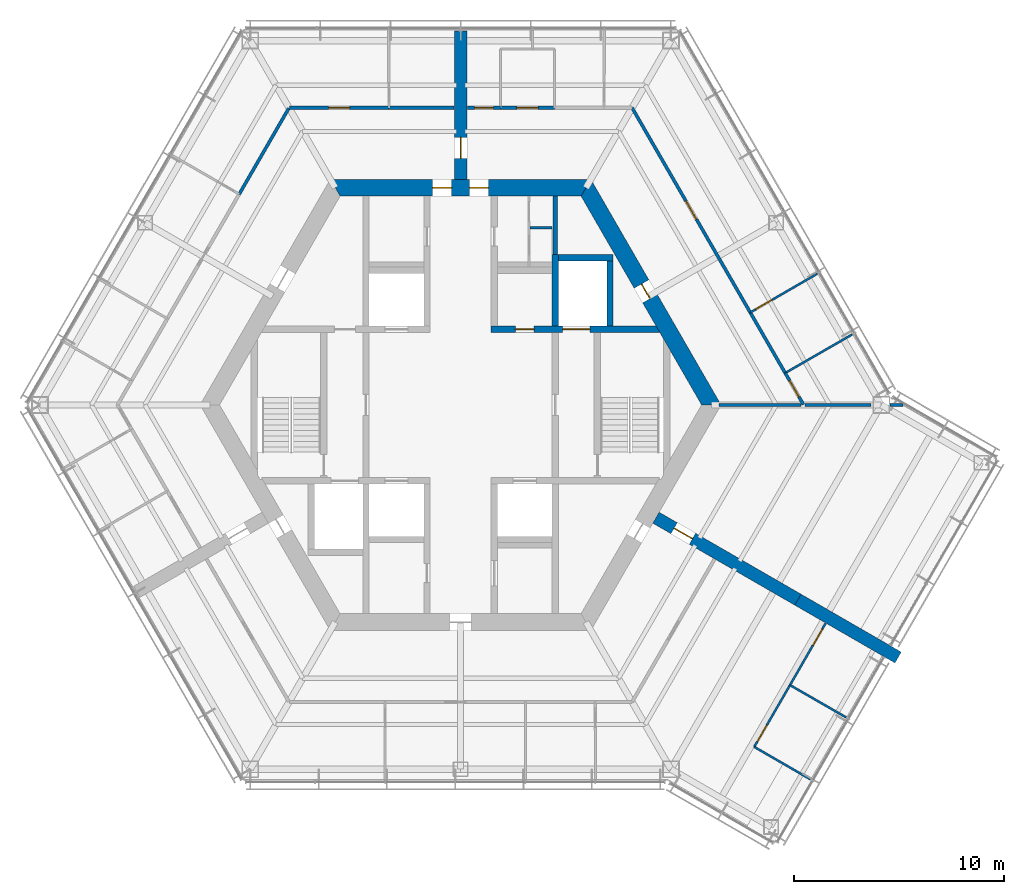
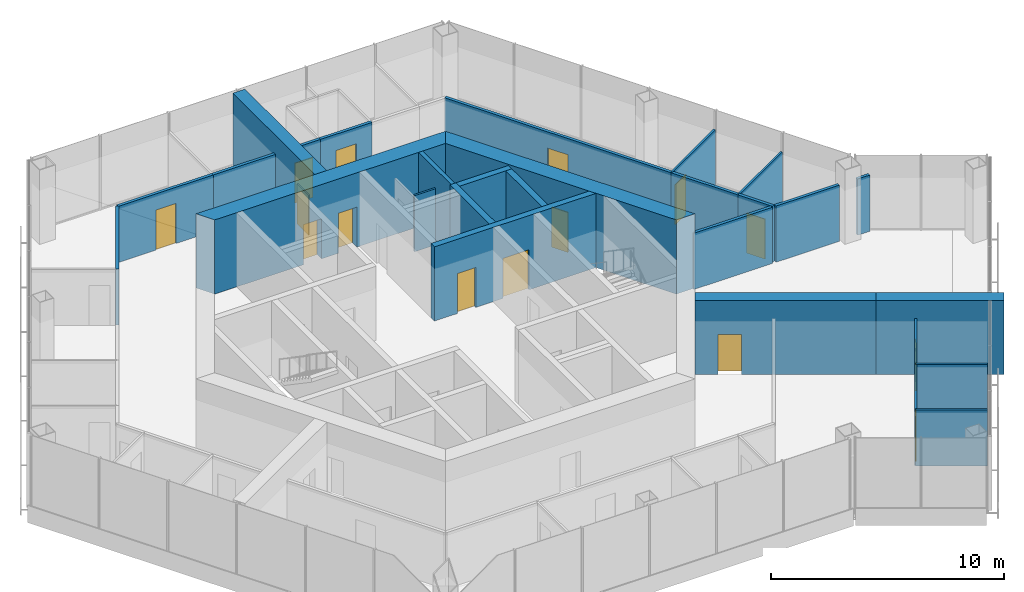
# One storey, part 9 of 13: 28 walls, 15 doors, 15 openings.
"""IFC4 building model written with IfcOpenShell, lengths in metres."""

from ifc_helpers import new_model, si_unit, direction, frame, frame_2d, origin, place, context, subcontext, project, spatial, polyline, rectangle, outline, extrude, material, layer, layer_set, type_object, element, fill, save


model = new_model("IFC4")

# Units and contexts
model_context = context("Model", 3, precision=1e-05, world=origin(), true_north=direction((0.0, 1.0)))
body_context = subcontext(model_context, "Body", "Model", "MODEL_VIEW")
ifc_project = project(units=[si_unit("LENGTHUNIT", "METRE"), si_unit("AREAUNIT", "SQUARE_METRE"), si_unit("VOLUMEUNIT", "CUBIC_METRE"), si_unit("PLANEANGLEUNIT", "RADIAN"), si_unit("MASSUNIT", "GRAM", prefix="KILO")], contexts=[model_context])

# Site, building, storey
site_placement = place(None, origin())
site = spatial("IfcSite", under=ifc_project, at=site_placement, CompositionType="ELEMENT")
building_placement = place(site_placement, origin())
building = spatial("IfcBuilding", under=site, at=building_placement, Name="Kasaneha Research Tower", CompositionType="ELEMENT")
storey_placement = place(building_placement, frame((0.0, 0.0, 283.0)))
storey = spatial("IfcBuildingStorey", under=building, at=storey_placement, Name="L71", CompositionType="ELEMENT", Elevation=283.0)

# Wall, openings, doors
ifc_material_1 = material(Name="Concrete Fc60", Category="concrete")
ifc_layer_1 = layer(ifc_material_1, 0.300048828125)
ifc_layer_set_1 = layer_set([ifc_layer_1], Name="Core internal wall 300 Fc60")
wall_type_1 = type_object("IfcWallType", Name="Core internal wall 300 Fc60", PredefinedType="SHEAR", material=ifc_layer_set_1)
wall_1_placement = place(storey_placement, frame((1.449951171875, 3.60009765625, 0.0), z_axis=(0.0, 0.0, 1.0), x_axis=(1.0, 0.0, 0.0)))
wall_1 = element("IfcWall", 1, at=wall_1_placement, inside=storey, type_object=wall_type_1, Name="Core wall W1E L71", PredefinedType="SHEAR", context=body_context, shape_type="SweptSolid", body=[
    extrude(outline(polyline([(0.0, -0.14990234375), (1.14990234375, -0.14990234375), (2.0498046875, -0.14990234375), (3.39990234375, -0.14990234375), (4.699951171875, -0.14990234375), (8.0185546875, -0.14990234375), (7.84521484375, 0.14990234375), (4.699951171875, 0.14990234375), (3.39990234375, 0.14990234375), (2.0498046875, 0.14990234375), (1.14990234375, 0.14990234375), (0.0, 0.14990234375), (0.0, -0.14990234375)])), origin(), (0.0, 0.0, 1.0), 3.89990234375),
])
opening_1_placement = place(wall_1_placement, frame((1.14990234375, 0.0, 0.0)))
opening_1 = element("IfcOpeningElement", 2, at=opening_1_placement, cuts=wall_1, Name="Opening L71-D17", PredefinedType="OPENING", context=body_context, shape_type="SweptSolid", body=[
    extrude(rectangle(XDim=0.89990234375, YDim=2.10009765625, at=frame_2d((0.449951171875, 1.050048828125))), frame((0.0, 0.16015625, 0.0), z_axis=(0.0, -1.0, 0.0), x_axis=(1.0, 0.0, 0.0)), (0.0, 0.0, 1.0), 0.320068359375),
])
opening_2_placement = place(wall_1_placement, frame((3.39990234375, 0.0, 0.0)))
opening_2 = element("IfcOpeningElement", 3, at=opening_2_placement, cuts=wall_1, Name="Opening LD-FL1-L71", PredefinedType="OPENING", context=body_context, shape_type="SweptSolid", body=[
    extrude(rectangle(XDim=1.300048828125, YDim=2.10009765625, at=frame_2d((0.64990234375, 1.050048828125))), frame((0.0, 0.16015625, 0.0), z_axis=(0.0, -1.0, 0.0), x_axis=(1.0, 0.0, 0.0)), (0.0, 0.0, 1.0), 0.320068359375),
])
ifc_material_2 = material(Name="Steel", Category="steel")
door_type_1 = type_object("IfcDoorType", Name="Lift landing door 1300x2100", OperationType="DOUBLE_DOOR_SLIDING", PredefinedType="DOOR", material=ifc_material_2)
door_1_placement = place(opening_2_placement, origin())
door_1 = element("IfcDoor", 4, at=door_1_placement, inside=storey, type_object=door_type_1, Name="Landing door FL1 LD-FL1-L71", OperationType="DOUBLE_DOOR_SLIDING", OverallHeight=2.10009765625, OverallWidth=1.300048828125, PredefinedType="DOOR", context=body_context, shape_type="SweptSolid", body=[
    extrude(rectangle(XDim=1.300048828125, YDim=2.10009765625, at=frame_2d((0.64990234375, 1.050048828125))), frame((0.0, 0.02490234375, 0.0), z_axis=(0.0, -1.0, 0.0), x_axis=(1.0, 0.0, 0.0)), (0.0, 0.0, 1.0), 0.050048828125),
])
fill(opening_2, door_1)
ifc_material_3 = material(Name="Steel", Category="steel")
door_type_2 = type_object("IfcDoorType", Name="Shaft room door FD60 900x2100", OperationType="NOTDEFINED", PredefinedType="DOOR", material=ifc_material_3)
door_2_placement = place(opening_1_placement, origin())
door_2 = element("IfcDoor", 5, at=door_2_placement, inside=storey, type_object=door_type_2, Name="Mail room door L71-D17", OperationType="SINGLE_SWING_LEFT", OverallHeight=2.10009765625, OverallWidth=0.89990234375, PredefinedType="DOOR", context=body_context, shape_type="SweptSolid", body=[
    extrude(rectangle(XDim=0.89990234375, YDim=2.10009765625, at=frame_2d((0.449951171875, 1.050048828125))), frame((0.0, 0.02490234375, 0.0), z_axis=(0.0, -1.0, 0.0), x_axis=(1.0, 0.0, 0.0)), (0.0, 0.0, 1.0), 0.050048828125),
])
fill(opening_1, door_2)

# Walls
wall_2_placement = place(storey_placement, frame((4.5, 3.75, 0.0), z_axis=(0.0, 0.0, 1.0), x_axis=(0.0, 1.0, 0.0)))
element("IfcWall", 6, at=wall_2_placement, inside=storey, type_object=wall_type_1, Name="Core wall FNE L71", PredefinedType="SHEAR", context=body_context, shape_type="SweptSolid", body=[
    extrude(rectangle(XDim=3.39990234375, YDim=0.300048828125, at=frame_2d((1.699951171875, 0.0))), origin(), (0.0, 0.0, 1.0), 3.89990234375),
])
wall_3_placement = place(storey_placement, frame((4.64990234375, 7.0, 0.0), z_axis=(0.0, 0.0, 1.0), x_axis=(1.0, 0.0, 0.0)))
element("IfcWall", 7, at=wall_3_placement, inside=storey, type_object=wall_type_1, Name="Core wall F1N L71", PredefinedType="SHEAR", context=body_context, shape_type="SweptSolid", body=[
    extrude(rectangle(XDim=2.60009765625, YDim=0.300048828125, at=frame_2d((1.300048828125, 0.0))), origin(), (0.0, 0.0, 1.0), 3.89990234375),
])
wall_4_placement = place(storey_placement, frame((7.10009765625, 3.75, 0.0), z_axis=(0.0, 0.0, 1.0), x_axis=(0.0, 1.0, 0.0)))
element("IfcWall", 8, at=wall_4_placement, inside=storey, type_object=wall_type_1, Name="Core wall F1E L71", PredefinedType="SHEAR", context=body_context, shape_type="SweptSolid", body=[
    extrude(rectangle(XDim=3.10009765625, YDim=0.300048828125, at=frame_2d((1.550048828125, 0.0))), origin(), (0.0, 0.0, 1.0), 3.89990234375),
])

# Wall, opening, door
ifc_material_4 = material(Name="Concrete Fc60", Category="concrete")
ifc_layer_2 = layer(ifc_material_4, 0.800048828125)
ifc_layer_set_2 = layer_set([ifc_layer_2], Name="Core wall 800 Fc60")
wall_type_2 = type_object("IfcWallType", Name="Core wall 800 Fc60", PredefinedType="SHEAR", material=ifc_layer_set_2)
wall_5_placement = place(storey_placement, frame((11.92236328125, 0.0, 0.0), z_axis=(0.0, 0.0, 1.0), x_axis=(-0.500004296715, 0.866022923061, 0.0)))
wall_5 = element("IfcWall", 9, at=wall_5_placement, inside=storey, type_object=wall_type_2, Name="Core wall 030 L71", PredefinedType="SHEAR", context=body_context, shape_type="SweptSolid", body=[
    extrude(outline(polyline([(-0.23095703125, -0.39990234375), (5.83544921875, -0.39990234375), (6.635498046875, -0.39990234375), (12.1533203125, -0.39990234375), (11.69140625, 0.39990234375), (6.635498046875, 0.39990234375), (5.83544921875, 0.39990234375), (0.23095703125, 0.39990234375), (-0.23095703125, -0.39990234375)])), origin(), (0.0, 0.0, 1.0), 3.89990234375),
])
opening_3_placement = place(wall_5_placement, frame((5.83544921875, 0.0, 0.0)))
opening_3 = element("IfcOpeningElement", 10, at=opening_3_placement, cuts=wall_5, Name="Opening L71-D04", PredefinedType="OPENING", context=body_context, shape_type="SweptSolid", body=[
    extrude(rectangle(XDim=0.800048828125, YDim=2.10009765625, at=frame_2d((0.39990234375, 1.050048828125))), frame((0.0, 0.41015625, 0.0), z_axis=(0.0, -1.0, 0.0), x_axis=(1.0, 0.0, 0.0)), (0.0, 0.0, 1.0), 0.820068359375),
])
ifc_material_5 = material(Name="Steel", Category="steel")
door_type_3 = type_object("IfcDoorType", Name="Riser access door FD60 800x2100", OperationType="NOTDEFINED", PredefinedType="DOOR", material=ifc_material_5)
door_3_placement = place(opening_3_placement, origin())
door_3 = element("IfcDoor", 11, at=door_3_placement, inside=storey, type_object=door_type_3, Name="Pipe riser door L71-D04", OperationType="SINGLE_SWING_RIGHT", OverallHeight=2.10009765625, OverallWidth=0.800048828125, PredefinedType="DOOR", context=body_context, shape_type="SweptSolid", body=[
    extrude(rectangle(XDim=0.800048828125, YDim=2.10009765625, at=frame_2d((0.39990234375, 1.050048828125))), frame((0.0, 0.02490234375, 0.0), z_axis=(0.0, -1.0, 0.0), x_axis=(1.0, 0.0, 0.0)), (0.0, 0.0, 1.0), 0.050048828125),
])
fill(opening_3, door_3)

# Wall, openings, doors
wall_6_placement = place(storey_placement, frame((5.961181640625, 10.324951171875, 0.0), z_axis=(0.0, 0.0, 1.0), x_axis=(-1.0, 0.0, 0.0)))
wall_6 = element("IfcWall", 12, at=wall_6_placement, inside=storey, type_object=wall_type_2, Name="Core wall 090 L71", PredefinedType="SHEAR", context=body_context, shape_type="SweptSolid", body=[
    extrude(outline(polyline([(-0.23095703125, -0.39990234375), (4.63623046875, -0.39990234375), (5.5361328125, -0.39990234375), (6.38623046875, -0.39990234375), (7.2861328125, -0.39990234375), (12.1533203125, -0.39990234375), (11.69140625, 0.39990234375), (7.2861328125, 0.39990234375), (6.38623046875, 0.39990234375), (5.5361328125, 0.39990234375), (4.63623046875, 0.39990234375), (0.23095703125, 0.39990234375), (-0.23095703125, -0.39990234375)])), origin(), (0.0, 0.0, 1.0), 3.89990234375),
])
opening_4_placement = place(wall_6_placement, frame((6.38623046875, 0.0, 0.0)))
opening_4 = element("IfcOpeningElement", 13, at=opening_4_placement, cuts=wall_6, Name="Opening L71-D01", PredefinedType="OPENING", context=body_context, shape_type="SweptSolid", body=[
    extrude(rectangle(XDim=0.89990234375, YDim=2.10009765625, at=frame_2d((0.449951171875, 1.050048828125))), frame((0.0, 0.41015625, 0.0), z_axis=(0.0, -1.0, 0.0), x_axis=(1.0, 0.0, 0.0)), (0.0, 0.0, 1.0), 0.820068359375),
])
opening_5_placement = place(wall_6_placement, frame((4.63623046875, 0.0, 0.0)))
opening_5 = element("IfcOpeningElement", 14, at=opening_5_placement, cuts=wall_6, Name="Opening L71-D02", PredefinedType="OPENING", context=body_context, shape_type="SweptSolid", body=[
    extrude(rectangle(XDim=0.89990234375, YDim=2.10009765625, at=frame_2d((0.449951171875, 1.050048828125))), frame((0.0, 0.41015625, 0.0), z_axis=(0.0, -1.0, 0.0), x_axis=(1.0, 0.0, 0.0)), (0.0, 0.0, 1.0), 0.820068359375),
])
ifc_material_6 = material(Name="Steel", Category="steel")
door_type_4 = type_object("IfcDoorType", Name="Toilet door FD20 900x2100", OperationType="NOTDEFINED", PredefinedType="DOOR", material=ifc_material_6)
door_4_placement = place(opening_4_placement, origin())
door_4 = element("IfcDoor", 15, at=door_4_placement, inside=storey, type_object=door_type_4, Name="Core door north 1 L71-D01", OperationType="SINGLE_SWING_RIGHT", OverallHeight=2.10009765625, OverallWidth=0.89990234375, PredefinedType="DOOR", context=body_context, shape_type="SweptSolid", body=[
    extrude(rectangle(XDim=0.89990234375, YDim=2.10009765625, at=frame_2d((0.449951171875, 1.050048828125))), frame((0.0, 0.02490234375, 0.0), z_axis=(0.0, -1.0, 0.0), x_axis=(1.0, 0.0, 0.0)), (0.0, 0.0, 1.0), 0.050048828125),
])
fill(opening_4, door_4)
door_5_placement = place(opening_5_placement, origin())
door_5 = element("IfcDoor", 16, at=door_5_placement, inside=storey, type_object=door_type_4, Name="Core door north 2 L71-D02", OperationType="SINGLE_SWING_LEFT", OverallHeight=2.10009765625, OverallWidth=0.89990234375, PredefinedType="DOOR", context=body_context, shape_type="SweptSolid", body=[
    extrude(rectangle(XDim=0.89990234375, YDim=2.10009765625, at=frame_2d((0.449951171875, 1.050048828125))), frame((0.0, 0.02490234375, 0.0), z_axis=(0.0, -1.0, 0.0), x_axis=(1.0, 0.0, 0.0)), (0.0, 0.0, 1.0), 0.050048828125),
])
fill(opening_5, door_5)

# Walls
ifc_material_7 = material(Name="Gypsum board on steel studs, one layer each side", Category="steel")
ifc_layer_3 = layer(ifc_material_7, 0.10009765625)
ifc_layer_set_3 = layer_set([ifc_layer_3], Name="Office partition 100")
wall_type_3 = type_object("IfcWallType", Name="Office partition 100", PredefinedType="PARTITIONING", material=ifc_layer_set_3)
wall_7_placement = place(storey_placement, frame((3.300048828125, 8.425048828125, 0.0), z_axis=(0.0, 0.0, 1.0), x_axis=(1.0, 0.0, 0.0)))
element("IfcWall", 17, at=wall_7_placement, inside=storey, type_object=wall_type_3, Name="Office partition TBF2 L71", PredefinedType="PARTITIONING", context=body_context, shape_type="SweptSolid", body=[
    extrude(rectangle(XDim=1.050048828125, YDim=0.10009765625, at=frame_2d((0.52490234375, 0.0))), origin(), (0.0, 0.0, 1.0), 2.949951171875),
])
wall_8_placement = place(storey_placement, frame((18.619873046875, 3.3505859375, 0.0), z_axis=(0.0, 0.0, 1.0), x_axis=(-0.866693818913, -0.49884047977, 0.0)))
element("IfcWall", 18, at=wall_8_placement, inside=storey, type_object=wall_type_3, Name="Office partition FAE12 L71", PredefinedType="PARTITIONING", context=body_context, shape_type="SweptSolid", body=[
    extrude(rectangle(XDim=3.675537109375, YDim=0.10009765625, at=frame_2d((1.837890625, 0.0))), origin(), (0.0, 0.0, 1.0), 2.949951171875),
])

# Wall, opening, door
wall_9_placement = place(storey_placement, frame((13.7734375, 4.3935546875, 0.0), z_axis=(0.0, 0.0, 1.0), x_axis=(0.865424773777, 0.501038881657, 0.0)))
wall_9 = element("IfcWall", 19, at=wall_9_placement, inside=storey, type_object=wall_type_3, Name="Office partition FAE13 L71", PredefinedType="PARTITIONING", context=body_context, shape_type="SweptSolid", body=[
    extrude(rectangle(XDim=3.685791015625, YDim=0.10009765625, at=frame_2d((1.8427734375, 0.0))), origin(), (0.0, 0.0, 1.0), 2.949951171875),
])
opening_6_placement = place(wall_9_placement, frame((0.300048828125, 0.0, 0.0)))
opening_6 = element("IfcOpeningElement", 20, at=opening_6_placement, cuts=wall_9, Name="Opening L71-D27", PredefinedType="OPENING", context=body_context, shape_type="SweptSolid", body=[
    extrude(rectangle(XDim=0.89990234375, YDim=2.10009765625, at=frame_2d((0.449951171875, 1.050048828125))), frame((0.0, 0.06005859375, 0.0), z_axis=(0.0, -1.0, 0.0), x_axis=(1.0, 0.0, 0.0)), (0.0, 0.0, 1.0), 0.1201171875),
])
ifc_material_8 = material(Name="Timber veneer", Category="wood")
door_type_5 = type_object("IfcDoorType", Name="Office door 900x2100", OperationType="SINGLE_SWING_LEFT", PredefinedType="DOOR", material=ifc_material_8)
door_6_placement = place(opening_6_placement, origin())
door_6 = element("IfcDoor", 21, at=door_6_placement, inside=storey, type_object=door_type_5, Name="Board meeting room door L71-D27", OperationType="SINGLE_SWING_LEFT", OverallHeight=2.10009765625, OverallWidth=0.89990234375, PredefinedType="DOOR", context=body_context, shape_type="SweptSolid", body=[
    extrude(rectangle(XDim=0.89990234375, YDim=2.10009765625, at=frame_2d((0.449951171875, 1.050048828125))), frame((0.0, 0.02490234375, 0.0), z_axis=(0.0, -1.0, 0.0), x_axis=(1.0, 0.0, 0.0)), (0.0, 0.0, 1.0), 0.050048828125),
])
fill(opening_6, door_6)

# Wall
wall_10_placement = place(storey_placement, frame((15.658935546875, -13.31884765625, 0.0), z_axis=(0.0, 0.0, 1.0), x_axis=(0.866844641549, -0.498578346319, 0.0)))
element("IfcWall", 22, at=wall_10_placement, inside=storey, type_object=wall_type_3, Name="Office partition FCS09 L71", PredefinedType="PARTITIONING", context=body_context, shape_type="SweptSolid", body=[
    extrude(rectangle(XDim=3.080078125, YDim=0.10009765625, at=frame_2d((1.5400390625, 0.0))), origin(), (0.0, 0.0, 1.0), 2.949951171875),
])

# Wall, opening, door
wall_11_placement = place(storey_placement, frame((13.96142578125, -16.259033203125, 0.0), z_axis=(0.0, 0.0, 1.0), x_axis=(0.501149490816, 0.865360727012, 0.0)))
wall_11 = element("IfcWall", 23, at=wall_11_placement, inside=storey, type_object=wall_type_3, Name="Office partition FCS10 L71", PredefinedType="PARTITIONING", context=body_context, shape_type="SweptSolid", body=[
    extrude(rectangle(XDim=3.39990234375, YDim=0.10009765625, at=frame_2d((1.699951171875, 0.0))), origin(), (0.0, 0.0, 1.0), 2.949951171875),
])
opening_7_placement = place(wall_11_placement, frame((0.300048828125, 0.0, 0.0)))
opening_7 = element("IfcOpeningElement", 24, at=opening_7_placement, cuts=wall_11, Name="Opening L71-D42", PredefinedType="OPENING", context=body_context, shape_type="SweptSolid", body=[
    extrude(rectangle(XDim=0.89990234375, YDim=2.10009765625, at=frame_2d((0.449951171875, 1.050048828125))), frame((0.0, 0.06005859375, 0.0), z_axis=(0.0, -1.0, 0.0), x_axis=(1.0, 0.0, 0.0)), (0.0, 0.0, 1.0), 0.1201171875),
])
door_7_placement = place(opening_7_placement, origin())
door_7 = element("IfcDoor", 25, at=door_7_placement, inside=storey, type_object=door_type_5, Name="Workroom door L71-D42", OperationType="SINGLE_SWING_LEFT", OverallHeight=2.10009765625, OverallWidth=0.89990234375, PredefinedType="DOOR", context=body_context, shape_type="SweptSolid", body=[
    extrude(rectangle(XDim=0.89990234375, YDim=2.10009765625, at=frame_2d((0.449951171875, 1.050048828125))), frame((0.0, 0.02490234375, 0.0), z_axis=(0.0, -1.0, 0.0), x_axis=(1.0, 0.0, 0.0)), (0.0, 0.0, 1.0), 0.050048828125),
])
fill(opening_7, door_7)

# Wall
wall_12_placement = place(storey_placement, frame((16.62890625, -17.799072265625, 0.0), z_axis=(0.0, 0.0, 1.0), x_axis=(-0.866029832698, 0.499992328818, 0.0)))
element("IfcWall", 26, at=wall_12_placement, inside=storey, type_object=wall_type_3, Name="Office partition FCS11 L71", PredefinedType="PARTITIONING", context=body_context, shape_type="SweptSolid", body=[
    extrude(rectangle(XDim=3.080078125, YDim=0.10009765625, at=frame_2d((1.5400390625, 0.0))), origin(), (0.0, 0.0, 1.0), 2.949951171875),
])

# Wall, opening, door
wall_13_placement = place(storey_placement, frame((15.665283203125, -13.31689453125, 0.0), z_axis=(0.0, 0.0, 1.0), x_axis=(0.498882251571, 0.866669775098, 0.0)))
wall_13 = element("IfcWall", 27, at=wall_13_placement, inside=storey, type_object=wall_type_3, Name="Office partition FCS12 L71", PredefinedType="PARTITIONING", context=body_context, shape_type="SweptSolid", body=[
    extrude(rectangle(XDim=3.380126953125, YDim=0.10009765625, at=frame_2d((1.68994140625, 0.0))), origin(), (0.0, 0.0, 1.0), 2.949951171875),
])
opening_8_placement = place(wall_13_placement, frame((2.179931640625, 0.0, 0.0)))
opening_8 = element("IfcOpeningElement", 28, at=opening_8_placement, cuts=wall_13, Name="Opening L71-D43", PredefinedType="OPENING", context=body_context, shape_type="SweptSolid", body=[
    extrude(rectangle(XDim=0.89990234375, YDim=2.10009765625, at=frame_2d((0.449951171875, 1.050048828125))), frame((0.0, 0.06005859375, 0.0), z_axis=(0.0, -1.0, 0.0), x_axis=(1.0, 0.0, 0.0)), (0.0, 0.0, 1.0), 0.1201171875),
])
door_8_placement = place(opening_8_placement, origin())
door_8 = element("IfcDoor", 29, at=door_8_placement, inside=storey, type_object=door_type_5, Name="Phone room door L71-D43", OperationType="SINGLE_SWING_RIGHT", OverallHeight=2.10009765625, OverallWidth=0.89990234375, PredefinedType="DOOR", context=body_context, shape_type="SweptSolid", body=[
    extrude(rectangle(XDim=0.89990234375, YDim=2.10009765625, at=frame_2d((0.449951171875, 1.050048828125))), frame((0.0, 0.02490234375, 0.0), z_axis=(0.0, -1.0, 0.0), x_axis=(1.0, 0.0, 0.0)), (0.0, 0.0, 1.0), 0.050048828125),
])
fill(opening_8, door_8)

# Wall
ifc_material_9 = material(Name="Concrete block", Category="concrete")
ifc_layer_4 = layer(ifc_material_9, 0.199951171875)
ifc_layer_set_4 = layer_set([ifc_layer_4], Name="Riser enclosure wall 200")
wall_type_4 = type_object("IfcWallType", Name="Riser enclosure wall 200", PredefinedType="STANDARD", material=ifc_layer_set_4)
wall_14_placement = place(storey_placement, frame((4.5, 7.14990234375, 0.0), z_axis=(0.0, 0.0, 1.0), x_axis=(0.0, 1.0, 0.0)))
element("IfcWall", 30, at=wall_14_placement, inside=storey, type_object=wall_type_4, Name="Riser enclosure wall L71", PredefinedType="STANDARD", context=body_context, shape_type="SweptSolid", body=[
    extrude(rectangle(XDim=2.775146484375, YDim=0.199951171875, at=frame_2d((1.3876953125, 0.0))), origin(), (0.0, 0.0, 1.0), 3.89990234375),
])

# Wall, opening, door
ifc_material_10 = material(Name="Concrete Fc60", Category="concrete")
ifc_layer_5 = layer(ifc_material_10, 0.60009765625)
ifc_layer_set_5 = layer_set([ifc_layer_5], Name="Spine wall 600 Fc60")
wall_type_5 = type_object("IfcWallType", Name="Spine wall 600 Fc60", PredefinedType="SHEAR", material=ifc_layer_set_5)
wall_15_placement = place(storey_placement, frame((0.0, 10.72509765625, 0.0), z_axis=(0.0, 0.0, 1.0), x_axis=(0.0, 1.0, 0.0)))
wall_15 = element("IfcWall", 31, at=wall_15_placement, inside=storey, type_object=wall_type_5, Name="Spine wall A L71", PredefinedType="SHEAR", context=body_context, shape_type="SweptSolid", body=[
    extrude(rectangle(XDim=7.04541015625, YDim=0.60009765625, at=frame_2d((3.522705078125, 0.0))), origin(), (0.0, 0.0, 1.0), 3.89990234375),
])
opening_9_placement = place(wall_15_placement, frame((1.0, 0.0, 0.0)))
opening_9 = element("IfcOpeningElement", 32, at=opening_9_placement, cuts=wall_15, Name="Opening L71-D18", PredefinedType="OPENING", context=body_context, shape_type="SweptSolid", body=[
    extrude(rectangle(XDim=1.0, YDim=2.10009765625, at=frame_2d((0.5, 1.050048828125))), frame((0.0, 0.31005859375, 0.0), z_axis=(0.0, -1.0, 0.0), x_axis=(1.0, 0.0, 0.0)), (0.0, 0.0, 1.0), 0.6201171875),
])
ifc_material_11 = material(Name="Steel", Category="steel")
door_type_6 = type_object("IfcDoorType", Name="Specified fire door FD60 1000x2100", OperationType="NOTDEFINED", PredefinedType="DOOR", material=ifc_material_11)
door_9_placement = place(opening_9_placement, origin())
door_9 = element("IfcDoor", 33, at=door_9_placement, inside=storey, type_object=door_type_6, Name="Spine doorway A L71-D18", OperationType="SINGLE_SWING_LEFT", OverallHeight=2.10009765625, OverallWidth=1.0, PredefinedType="DOOR", context=body_context, shape_type="SweptSolid", body=[
    extrude(rectangle(XDim=1.0, YDim=2.10009765625, at=frame_2d((0.5, 1.050048828125))), frame((0.0, 0.02490234375, 0.0), z_axis=(0.0, -1.0, 0.0), x_axis=(1.0, 0.0, 0.0)), (0.0, 0.0, 1.0), 0.050048828125),
])
fill(opening_9, door_9)

wall_16_placement = place(storey_placement, frame((9.2880859375, -5.362548828125, 0.0), z_axis=(0.0, 0.0, 1.0), x_axis=(0.866031736626, -0.499989031036, 0.0)))
wall_16 = element("IfcWall", 34, at=wall_16_placement, inside=storey, type_object=wall_type_5, Name="Spine wall C L71", PredefinedType="SHEAR", context=body_context, shape_type="SweptSolid", body=[
    extrude(rectangle(XDim=7.795654296875, YDim=0.60009765625, at=frame_2d((3.89794921875, 0.0))), origin(), (0.0, 0.0, 1.0), 3.89990234375),
])
opening_10_placement = place(wall_16_placement, frame((1.0, 0.0, 0.0)))
opening_10 = element("IfcOpeningElement", 35, at=opening_10_placement, cuts=wall_16, Name="Opening L71-D20", PredefinedType="OPENING", context=body_context, shape_type="SweptSolid", body=[
    extrude(rectangle(XDim=1.0, YDim=2.10009765625, at=frame_2d((0.5, 1.050048828125))), frame((0.0, 0.31005859375, 0.0), z_axis=(0.0, -1.0, 0.0), x_axis=(1.0, 0.0, 0.0)), (0.0, 0.0, 1.0), 0.6201171875),
])
door_10_placement = place(opening_10_placement, origin())
door_10 = element("IfcDoor", 36, at=door_10_placement, inside=storey, type_object=door_type_6, Name="Spine doorway C L71-D20", OperationType="SINGLE_SWING_LEFT", OverallHeight=2.10009765625, OverallWidth=1.0, PredefinedType="DOOR", context=body_context, shape_type="SweptSolid", body=[
    extrude(rectangle(XDim=1.0, YDim=2.10009765625, at=frame_2d((0.5, 1.050048828125))), frame((0.0, 0.02490234375, 0.0), z_axis=(0.0, -1.0, 0.0), x_axis=(1.0, 0.0, 0.0)), (0.0, 0.0, 1.0), 0.050048828125),
])
fill(opening_10, door_10)

# Wall
wall_17_placement = place(storey_placement, frame((16.039306640625, -9.26025390625, 0.0), z_axis=(0.0, 0.0, 1.0), x_axis=(0.866027397988, -0.499996545922, 0.0)))
element("IfcWall", 37, at=wall_17_placement, inside=storey, type_object=wall_type_5, Name="Spine wall C wing L71", PredefinedType="SHEAR", context=body_context, shape_type="SweptSolid", body=[
    extrude(rectangle(XDim=5.5, YDim=0.60009765625, at=frame_2d((2.75, 0.0))), origin(), (0.0, 0.0, 1.0), 3.89990234375),
])

# Wall, opening, door
ifc_material_12 = material(Name="Gypsum board on steel studs, two layers each side", Category="steel")
ifc_layer_6 = layer(ifc_material_12, 0.14990234375)
ifc_layer_set_6 = layer_set([ifc_layer_6], Name="Suite partition 150")
wall_type_6 = type_object("IfcWallType", Name="Suite partition 150", PredefinedType="PARTITIONING", material=ifc_layer_set_6)
wall_18_placement = place(storey_placement, frame((1.89501953125, 14.125, 0.0), z_axis=(0.0, 0.0, 1.0), x_axis=(1.0, 0.0, 0.0)))
wall_18 = element("IfcWall", 38, at=wall_18_placement, inside=storey, type_object=wall_type_6, Name="Suite partition FAE01 L71", PredefinedType="PARTITIONING", context=body_context, shape_type="SweptSolid", body=[
    extrude(rectangle(XDim=2.574951171875, YDim=0.14990234375, at=frame_2d((1.28759765625, 0.0))), origin(), (0.0, 0.0, 1.0), 2.949951171875),
])
opening_11_placement = place(wall_18_placement, frame((0.78759765625, 0.0, 0.0)))
opening_11 = element("IfcOpeningElement", 39, at=opening_11_placement, cuts=wall_18, Name="Opening L71-D23", PredefinedType="OPENING", context=body_context, shape_type="SweptSolid", body=[
    extrude(rectangle(XDim=1.0, YDim=2.10009765625, at=frame_2d((0.5, 1.050048828125))), frame((0.0, 0.0849609375, 0.0), z_axis=(0.0, -1.0, 0.0), x_axis=(1.0, 0.0, 0.0)), (0.0, 0.0, 1.0), 0.169921875),
])
ifc_material_13 = material(Name="Steel", Category="steel")
door_type_7 = type_object("IfcDoorType", Name="Suite entrance door FD60 1000x2100", OperationType="NOTDEFINED", PredefinedType="DOOR", material=ifc_material_13)
door_11_placement = place(opening_11_placement, origin())
door_11 = element("IfcDoor", 40, at=door_11_placement, inside=storey, type_object=door_type_7, Name="Suite entrance door L71-D23", OperationType="SINGLE_SWING_RIGHT", OverallHeight=2.10009765625, OverallWidth=1.0, PredefinedType="DOOR", context=body_context, shape_type="SweptSolid", body=[
    extrude(rectangle(XDim=1.0, YDim=2.10009765625, at=frame_2d((0.5, 1.050048828125))), frame((0.0, 0.02490234375, 0.0), z_axis=(0.0, -1.0, 0.0), x_axis=(1.0, 0.0, 0.0)), (0.0, 0.0, 1.0), 0.050048828125),
])
fill(opening_11, door_11)

# Wall
wall_19_placement = place(storey_placement, frame((13.768798828125, 4.40185546875, 0.0), z_axis=(0.0, 0.0, 1.0), x_axis=(0.499958601013, -0.866049304181, 0.0)))
element("IfcWall", 41, at=wall_19_placement, inside=storey, type_object=wall_type_6, Name="Suite partition FAE02 L71", PredefinedType="PARTITIONING", context=body_context, shape_type="SweptSolid", body=[
    extrude(rectangle(XDim=3.341064453125, YDim=0.14990234375, at=frame_2d((1.67041015625, 0.0))), origin(), (0.0, 0.0, 1.0), 2.949951171875),
])

# Wall, opening, door
wall_20_placement = place(storey_placement, frame((0.320068359375, 14.125, 0.0), z_axis=(0.0, 0.0, 1.0), x_axis=(1.0, 0.0, 0.0)))
wall_20 = element("IfcWall", 42, at=wall_20_placement, inside=storey, type_object=wall_type_6, Name="Suite partition FAE04 L71", PredefinedType="PARTITIONING", context=body_context, shape_type="SweptSolid", body=[
    extrude(rectangle(XDim=1.5849609375, YDim=0.14990234375, at=frame_2d((0.79248046875, 0.0))), origin(), (0.0, 0.0, 1.0), 2.949951171875),
])
opening_12_placement = place(wall_20_placement, frame((0.342529296875, 0.0, 0.0)))
opening_12 = element("IfcOpeningElement", 43, at=opening_12_placement, cuts=wall_20, Name="Opening L71-D24", PredefinedType="OPENING", context=body_context, shape_type="SweptSolid", body=[
    extrude(rectangle(XDim=0.89990234375, YDim=2.10009765625, at=frame_2d((0.449951171875, 1.050048828125))), frame((0.0, 0.0849609375, 0.0), z_axis=(0.0, -1.0, 0.0), x_axis=(1.0, 0.0, 0.0)), (0.0, 0.0, 1.0), 0.169921875),
])
door_12_placement = place(opening_12_placement, origin())
door_12 = element("IfcDoor", 44, at=door_12_placement, inside=storey, type_object=door_type_5, Name="Executive office door L71-D24", OperationType="SINGLE_SWING_RIGHT", OverallHeight=2.10009765625, OverallWidth=0.89990234375, PredefinedType="DOOR", context=body_context, shape_type="SweptSolid", body=[
    extrude(rectangle(XDim=0.89990234375, YDim=2.10009765625, at=frame_2d((0.449951171875, 1.050048828125))), frame((0.0, 0.02490234375, 0.0), z_axis=(0.0, -1.0, 0.0), x_axis=(1.0, 0.0, 0.0)), (0.0, 0.0, 1.0), 0.050048828125),
])
fill(opening_12, door_12)

wall_21_placement = place(storey_placement, frame((15.434326171875, 1.51708984375, 0.0), z_axis=(0.0, 0.0, 1.0), x_axis=(0.49996696679, -0.866044474677, 0.0)))
wall_21 = element("IfcWall", 45, at=wall_21_placement, inside=storey, type_object=wall_type_6, Name="Suite partition FAE05 L71", PredefinedType="PARTITIONING", context=body_context, shape_type="SweptSolid", body=[
    extrude(rectangle(XDim=1.728515625, YDim=0.14990234375, at=frame_2d((0.8642578125, 0.0))), origin(), (0.0, 0.0, 1.0), 2.949951171875),
])
opening_13_placement = place(wall_21_placement, frame((0.414306640625, 0.0, 0.0)))
opening_13 = element("IfcOpeningElement", 46, at=opening_13_placement, cuts=wall_21, Name="Opening L71-D25", PredefinedType="OPENING", context=body_context, shape_type="SweptSolid", body=[
    extrude(rectangle(XDim=0.89990234375, YDim=2.10009765625, at=frame_2d((0.449951171875, 1.050048828125))), frame((0.0, 0.0849609375, 0.0), z_axis=(0.0, -1.0, 0.0), x_axis=(1.0, 0.0, 0.0)), (0.0, 0.0, 1.0), 0.169921875),
])
door_13_placement = place(opening_13_placement, origin())
door_13 = element("IfcDoor", 47, at=door_13_placement, inside=storey, type_object=door_type_5, Name="Workroom door L71-D25", OperationType="SINGLE_SWING_RIGHT", OverallHeight=2.10009765625, OverallWidth=0.89990234375, PredefinedType="DOOR", context=body_context, shape_type="SweptSolid", body=[
    extrude(rectangle(XDim=0.89990234375, YDim=2.10009765625, at=frame_2d((0.449951171875, 1.050048828125))), frame((0.0, 0.02490234375, 0.0), z_axis=(0.0, -1.0, 0.0), x_axis=(1.0, 0.0, 0.0)), (0.0, 0.0, 1.0), 0.050048828125),
])
fill(opening_13, door_13)

wall_22_placement = place(storey_placement, frame((8.155029296875, 14.125, 0.0), z_axis=(0.0, 0.0, 1.0), x_axis=(0.499997038701, -0.866027113485, 0.0)))
wall_22 = element("IfcWall", 48, at=wall_22_placement, inside=storey, type_object=wall_type_6, Name="Suite partition FAE07 L71", PredefinedType="PARTITIONING", context=body_context, shape_type="SweptSolid", body=[
    extrude(rectangle(XDim=11.23681640625, YDim=0.14990234375, at=frame_2d((5.618408203125, 0.0))), origin(), (0.0, 0.0, 1.0), 2.949951171875),
])
opening_14_placement = place(wall_22_placement, frame((5.118408203125, 0.0, 0.0)))
opening_14 = element("IfcOpeningElement", 49, at=opening_14_placement, cuts=wall_22, Name="Opening L71-D26", PredefinedType="OPENING", context=body_context, shape_type="SweptSolid", body=[
    extrude(rectangle(XDim=1.0, YDim=2.10009765625, at=frame_2d((0.5, 1.050048828125))), frame((0.0, 0.0849609375, 0.0), z_axis=(0.0, -1.0, 0.0), x_axis=(1.0, 0.0, 0.0)), (0.0, 0.0, 1.0), 0.169921875),
])
door_14_placement = place(opening_14_placement, origin())
door_14 = element("IfcDoor", 50, at=door_14_placement, inside=storey, type_object=door_type_7, Name="Suite entrance door L71-D26", OperationType="SINGLE_SWING_RIGHT", OverallHeight=2.10009765625, OverallWidth=1.0, PredefinedType="DOOR", context=body_context, shape_type="SweptSolid", body=[
    extrude(rectangle(XDim=1.0, YDim=2.10009765625, at=frame_2d((0.5, 1.050048828125))), frame((0.0, 0.02490234375, 0.0), z_axis=(0.0, -1.0, 0.0), x_axis=(1.0, 0.0, 0.0)), (0.0, 0.0, 1.0), 0.050048828125),
])
fill(opening_14, door_14)

# Wall
wall_23_placement = place(storey_placement, frame((-3.42041015625, 14.125, 0.0), z_axis=(0.0, 0.0, 1.0), x_axis=(1.0, 0.0, 0.0)))
element("IfcWall", 51, at=wall_23_placement, inside=storey, type_object=wall_type_6, Name="Suite partition FAW01 L71", PredefinedType="PARTITIONING", context=body_context, shape_type="SweptSolid", body=[
    extrude(rectangle(XDim=3.100341796875, YDim=0.14990234375, at=frame_2d((1.55029296875, 0.0))), origin(), (0.0, 0.0, 1.0), 2.949951171875),
])

# Wall, opening, door
wall_24_placement = place(storey_placement, frame((-8.132080078125, 14.125, 0.0), z_axis=(0.0, 0.0, 1.0), x_axis=(1.0, 0.0, 0.0)))
wall_24 = element("IfcWall", 52, at=wall_24_placement, inside=storey, type_object=wall_type_6, Name="Suite partition FAW02 L71", PredefinedType="PARTITIONING", context=body_context, shape_type="SweptSolid", body=[
    extrude(rectangle(XDim=4.72119140625, YDim=0.14990234375, at=frame_2d((2.360595703125, 0.0))), origin(), (0.0, 0.0, 1.0), 2.949951171875),
])
opening_15_placement = place(wall_24_placement, frame((1.860595703125, 0.0, 0.0)))
opening_15 = element("IfcOpeningElement", 53, at=opening_15_placement, cuts=wall_24, Name="Opening L71-D29", PredefinedType="OPENING", context=body_context, shape_type="SweptSolid", body=[
    extrude(rectangle(XDim=1.0, YDim=2.10009765625, at=frame_2d((0.5, 1.050048828125))), frame((0.0, 0.0849609375, 0.0), z_axis=(0.0, -1.0, 0.0), x_axis=(1.0, 0.0, 0.0)), (0.0, 0.0, 1.0), 0.169921875),
])
door_15_placement = place(opening_15_placement, origin())
door_15 = element("IfcDoor", 54, at=door_15_placement, inside=storey, type_object=door_type_7, Name="Suite entrance door L71-D29", OperationType="SINGLE_SWING_LEFT", OverallHeight=2.10009765625, OverallWidth=1.0, PredefinedType="DOOR", context=body_context, shape_type="SweptSolid", body=[
    extrude(rectangle(XDim=1.0, YDim=2.10009765625, at=frame_2d((0.5, 1.050048828125))), frame((0.0, 0.02490234375, 0.0), z_axis=(0.0, -1.0, 0.0), x_axis=(1.0, 0.0, 0.0)), (0.0, 0.0, 1.0), 0.050048828125),
])
fill(opening_15, door_15)

# Walls
wall_25_placement = place(storey_placement, frame((-10.52734375, 10.01611328125, 0.0), z_axis=(0.0, 0.0, 1.0), x_axis=(0.500020852261, 0.866013364391, 0.0)))
element("IfcWall", 55, at=wall_25_placement, inside=storey, type_object=wall_type_6, Name="Suite partition FBN01 L71", PredefinedType="PARTITIONING", context=body_context, shape_type="SweptSolid", body=[
    extrude(rectangle(XDim=4.721435546875, YDim=0.14990234375, at=frame_2d((2.36083984375, 0.0))), origin(), (0.0, 0.0, 1.0), 2.949951171875),
])
wall_26_placement = place(storey_placement, frame((19.5185546875, 0.0, 0.0), z_axis=(0.0, 0.0, 1.0), x_axis=(-1.0, 0.0, 0.0)))
element("IfcWall", 56, at=wall_26_placement, inside=storey, type_object=wall_type_6, Name="Suite partition closer PT4 L71", PredefinedType="PARTITIONING", context=body_context, shape_type="SweptSolid", body=[
    extrude(rectangle(XDim=3.14990234375, YDim=0.14990234375, at=frame_2d((1.574951171875, 0.0))), origin(), (0.0, 0.0, 1.0), 2.949951171875),
])
wall_27_placement = place(storey_placement, frame((12.2841796875, 0.0, 0.0), z_axis=(0.0, 0.0, 1.0), x_axis=(1.0, 0.0, 0.0)))
element("IfcWall", 57, at=wall_27_placement, inside=storey, type_object=wall_type_6, Name="Suite partition closer PT4 L71", PredefinedType="PARTITIONING", context=body_context, shape_type="SweptSolid", body=[
    extrude(rectangle(XDim=3.90087890625, YDim=0.14990234375, at=frame_2d((1.950439453125, 0.0))), origin(), (0.0, 0.0, 1.0), 2.949951171875),
])
wall_28_placement = place(storey_placement, frame((20.419921875, 0.0, 0.0), z_axis=(0.0, 0.0, 1.0), x_axis=(1.0, 0.0, 0.0)))
element("IfcWall", 58, at=wall_28_placement, inside=storey, type_object=wall_type_6, Name="Suite partition closer PT4 L71", PredefinedType="PARTITIONING", context=body_context, shape_type="SweptSolid", body=[
    extrude(rectangle(XDim=0.614013671875, YDim=0.14990234375, at=frame_2d((0.30712890625, 0.0))), origin(), (0.0, 0.0, 1.0), 2.949951171875),
])

save(model, "model.ifc")
